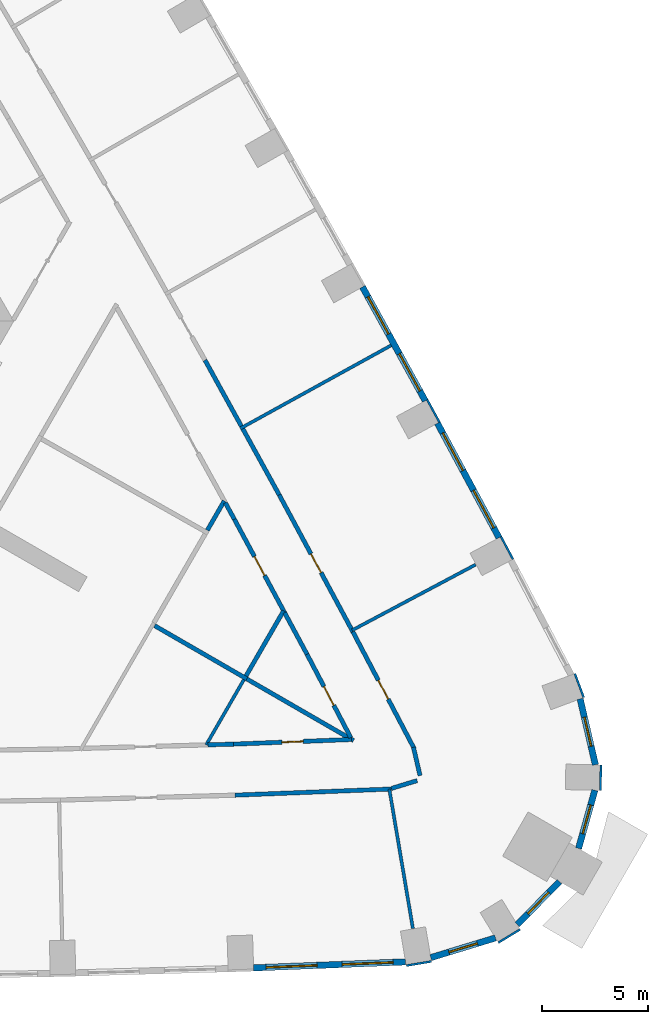
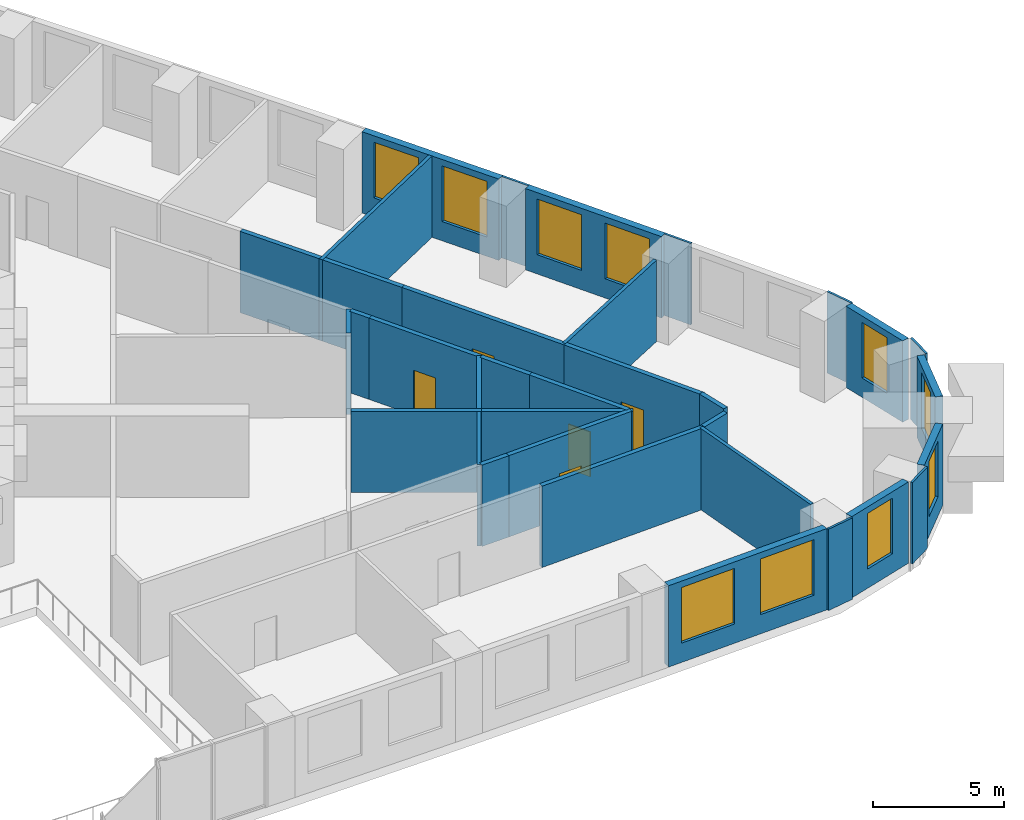
# One storey, part 11 of 16: 34 walls, 10 windows, 5 doors, 15 openings.
"""IFC4 building model written with IfcOpenShell, lengths in metres."""

from ifc_helpers import new_model, si_unit, direction, frame, frame_2d, origin, place, context, subcontext, project, spatial, rectangle, extrude, material, layer, layer_set, type_object, element, fill, save


model = new_model("IFC4")

# Units and contexts
model_context = context("Model", 3, precision=1e-05, world=origin(), true_north=direction((0.0, 1.0)))
body_context = subcontext(model_context, "Body", "Model", "MODEL_VIEW")
ifc_project = project(units=[si_unit("LENGTHUNIT", "METRE"), si_unit("AREAUNIT", "SQUARE_METRE"), si_unit("VOLUMEUNIT", "CUBIC_METRE"), si_unit("PLANEANGLEUNIT", "RADIAN"), si_unit("MASSUNIT", "GRAM", prefix="KILO")], contexts=[model_context])

# Site, building, storey
site_placement = place(None, origin())
site = spatial("IfcSite", under=ifc_project, at=site_placement, CompositionType="ELEMENT")
building_placement = place(site_placement, origin())
building = spatial("IfcBuilding", under=site, at=building_placement, Name="Entoto Arch Interchange Tower", CompositionType="ELEMENT")
storey_placement = place(building_placement, frame((0.0, 0.0, 43.39990234375)))
storey = spatial("IfcBuildingStorey", under=building, at=storey_placement, Name="L08", CompositionType="ELEMENT", Elevation=43.39990234375)

# Walls
ifc_material_1 = material(Name="Gypsum board partition on steel studs", Category="steel")
ifc_layer_1 = layer(ifc_material_1, 0.14990234375)
ifc_layer_set_1 = layer_set([ifc_layer_1], Name="Gypsum board partition on steel studs")
wall_type_1 = type_object("IfcWallType", Name="PARTITION 150", PredefinedType="PARTITIONING", material=ifc_layer_set_1)
wall_1_placement = place(storey_placement, frame((24.675048828125, -14.362060546875, 0.0), z_axis=(0.0, 0.0, 1.0), x_axis=(-0.500187988959, -0.865916841101, 0.0)))
element("IfcWall", 1, at=wall_1_placement, inside=storey, type_object=wall_type_1, Name="wall:L08:p118", PredefinedType="PARTITIONING", context=body_context, shape_type="SweptSolid", body=[
    extrude(rectangle(XDim=3.540771484375, YDim=0.14990234375, at=frame_2d((1.7705078125, 0.0))), origin(), (0.0, 0.0, 1.0), 3.800048828125),
])
wall_2_placement = place(storey_placement, frame((31.514892578125, -19.506103515625, 0.0), z_axis=(0.0, 0.0, 1.0), x_axis=(0.166785823947, -0.985993148521, 0.0)))
element("IfcWall", 2, at=wall_2_placement, inside=storey, type_object=wall_type_1, Name="wall:L08:p127", PredefinedType="PARTITIONING", context=body_context, shape_type="SweptSolid", body=[
    extrude(rectangle(XDim=6.650146484375, YDim=0.14990234375, at=frame_2d((3.3251953125, 0.0))), origin(), (0.0, 0.0, 1.0), 3.800048828125),
])
wall_3_placement = place(storey_placement, frame((29.763916015625, -12.0400390625, 0.0), z_axis=(0.0, 0.0, 1.0), x_axis=(0.883018657393, 0.469337885426, 0.0)))
element("IfcWall", 3, at=wall_3_placement, inside=storey, type_object=wall_type_1, Name="wall:L08:p128", PredefinedType="PARTITIONING", context=body_context, shape_type="SweptSolid", body=[
    extrude(rectangle(XDim=6.579833984375, YDim=0.14990234375, at=frame_2d((3.2900390625, 0.0))), origin(), (0.0, 0.0, 1.0), 3.800048828125),
])
wall_4_placement = place(storey_placement, frame((24.5048828125, -2.552001953125, 0.0), z_axis=(0.0, 0.0, 1.0), x_axis=(0.875845276652, 0.482592013369, 0.0)))
element("IfcWall", 4, at=wall_4_placement, inside=storey, type_object=wall_type_1, Name="wall:L08:p129", PredefinedType="PARTITIONING", context=body_context, shape_type="SweptSolid", body=[
    extrude(rectangle(XDim=8.099853515625, YDim=0.14990234375, at=frame_2d((4.0498046875, 0.0))), origin(), (0.0, 0.0, 1.0), 3.800048828125),
])

# Wall, opening, door
ifc_layer_2 = layer(ifc_material_1, 0.199951171875)
ifc_layer_set_2 = layer_set([ifc_layer_2], Name="Gypsum board partition on steel studs")
wall_type_2 = type_object("IfcWallType", Name="PARTITION 200", PredefinedType="PARTITIONING", material=ifc_layer_set_2)
wall_5_placement = place(storey_placement, frame((26.592041015625, -11.2109375, 0.0), z_axis=(0.0, 0.0, 1.0), x_axis=(-0.473737860011, 0.880665907136, 0.0)))
wall_5 = element("IfcWall", 5, at=wall_5_placement, inside=storey, type_object=wall_type_2, Name="wall:L08:p019", PredefinedType="PARTITIONING", context=body_context, shape_type="SweptSolid", body=[
    extrude(rectangle(XDim=4.988037109375, YDim=0.199951171875, at=frame_2d((2.494140625, 0.0))), origin(), (0.0, 0.0, 1.0), 3.800048828125),
])
opening_1_placement = place(wall_5_placement, frame((1.993896484375, 0.0, 0.0)))
opening_1 = element("IfcOpeningElement", 6, at=opening_1_placement, cuts=wall_5, Name="Opening L08-D26", PredefinedType="OPENING", context=body_context, shape_type="SweptSolid", body=[
    extrude(rectangle(XDim=1.0, YDim=2.10009765625, at=frame_2d((0.5, 1.050048828125))), frame((0.0, 0.10986328125, 0.0), z_axis=(0.0, -1.0, 0.0), x_axis=(1.0, 0.0, 0.0)), (0.0, 0.0, 1.0), 0.219970703125),
])
ifc_material_2 = material(Name="Timber door leaf in Steel S235 frame", Category="steel")
door_type = type_object("IfcDoorType", Name="DOOR DS-10 1000x2100", OperationType="SINGLE_SWING_LEFT", PredefinedType="DOOR", material=ifc_material_2)
door_1_placement = place(opening_1_placement, origin())
door_1 = element("IfcDoor", 7, at=door_1_placement, inside=storey, type_object=door_type, Name="door:L08:26", OperationType="SINGLE_SWING_LEFT", OverallHeight=2.10009765625, OverallWidth=1.0, PredefinedType="DOOR", context=body_context, shape_type="SweptSolid", body=[
    extrude(rectangle(XDim=1.0, YDim=2.10009765625, at=frame_2d((0.5, 1.050048828125))), frame((0.0, 0.02490234375, 0.0), z_axis=(0.0, -1.0, 0.0), x_axis=(1.0, 0.0, 0.0)), (0.0, 0.0, 1.0), 0.050048828125),
])
fill(opening_1, door_1)

# Walls
wall_6_placement = place(storey_placement, frame((24.22900390625, -6.818115234375, 0.0), z_axis=(0.0, 0.0, 1.0), x_axis=(-0.482120251302, 0.876105052653, 0.0)))
element("IfcWall", 8, at=wall_6_placement, inside=storey, type_object=wall_type_2, Name="wall:L08:p020", PredefinedType="PARTITIONING", context=body_context, shape_type="SweptSolid", body=[
    extrude(rectangle(XDim=0.883544921875, YDim=0.199951171875, at=frame_2d((0.44189453125, 0.0))), origin(), (0.0, 0.0, 1.0), 3.800048828125),
])
wall_7_placement = place(storey_placement, frame((22.97900390625, -17.426025390625, 0.0), z_axis=(0.0, 0.0, 1.0), x_axis=(0.999623609507, 0.027434272674, 0.0)))
element("IfcWall", 9, at=wall_7_placement, inside=storey, type_object=wall_type_2, Name="wall:L08:p021", PredefinedType="PARTITIONING", context=body_context, shape_type="SweptSolid", body=[
    extrude(rectangle(XDim=1.201416015625, YDim=0.199951171875, at=frame_2d((0.6005859375, 0.0))), origin(), (0.0, 0.0, 1.0), 3.800048828125),
])

# Wall, opening, door
wall_8_placement = place(storey_placement, frame((24.179931640625, -17.39306640625, 0.0), z_axis=(0.0, 0.0, 1.0), x_axis=(0.999226657848, 0.039320303228, 0.0)))
wall_8 = element("IfcWall", 10, at=wall_8_placement, inside=storey, type_object=wall_type_2, Name="wall:L08:p022", PredefinedType="PARTITIONING", context=body_context, shape_type="SweptSolid", body=[
    extrude(rectangle(XDim=5.569580078125, YDim=0.199951171875, at=frame_2d((2.78466796875, 0.0))), origin(), (0.0, 0.0, 1.0), 3.800048828125),
])
opening_2_placement = place(wall_8_placement, frame((2.283935546875, 0.0, 0.0)))
opening_2 = element("IfcOpeningElement", 11, at=opening_2_placement, cuts=wall_8, Name="Opening L08-D27", PredefinedType="OPENING", context=body_context, shape_type="SweptSolid", body=[
    extrude(rectangle(XDim=1.0, YDim=2.10009765625, at=frame_2d((0.5, 1.050048828125))), frame((0.0, 0.10986328125, 0.0), z_axis=(0.0, -1.0, 0.0), x_axis=(1.0, 0.0, 0.0)), (0.0, 0.0, 1.0), 0.219970703125),
])
door_2_placement = place(opening_2_placement, origin())
door_2 = element("IfcDoor", 12, at=door_2_placement, inside=storey, type_object=door_type, Name="door:L08:27", OperationType="SINGLE_SWING_LEFT", OverallHeight=2.10009765625, OverallWidth=1.0, PredefinedType="DOOR", context=body_context, shape_type="SweptSolid", body=[
    extrude(rectangle(XDim=1.0, YDim=2.10009765625, at=frame_2d((0.5, 1.050048828125))), frame((0.0, 0.02490234375, 0.0), z_axis=(0.0, -1.0, 0.0), x_axis=(1.0, 0.0, 0.0)), (0.0, 0.0, 1.0), 0.050048828125),
])
fill(opening_2, door_2)

wall_9_placement = place(storey_placement, frame((29.701904296875, -17.0849609375, 0.0), z_axis=(0.0, 0.0, 1.0), x_axis=(-0.464998228159, 0.88531161057, 0.0)))
wall_9 = element("IfcWall", 13, at=wall_9_placement, inside=storey, type_object=wall_type_2, Name="wall:L08:p023", PredefinedType="PARTITIONING", context=body_context, shape_type="SweptSolid", body=[
    extrude(rectangle(XDim=4.425537109375, YDim=0.199951171875, at=frame_2d((2.212890625, 0.0))), origin(), (0.0, 0.0, 1.0), 3.800048828125),
])
opening_3_placement = place(wall_9_placement, frame((1.712890625, 0.0, 0.0)))
opening_3 = element("IfcOpeningElement", 14, at=opening_3_placement, cuts=wall_9, Name="Opening L08-D28", PredefinedType="OPENING", context=body_context, shape_type="SweptSolid", body=[
    extrude(rectangle(XDim=1.0, YDim=2.10009765625, at=frame_2d((0.5, 1.050048828125))), frame((0.0, 0.10986328125, 0.0), z_axis=(0.0, -1.0, 0.0), x_axis=(1.0, 0.0, 0.0)), (0.0, 0.0, 1.0), 0.219970703125),
])
door_3_placement = place(opening_3_placement, origin())
door_3 = element("IfcDoor", 15, at=door_3_placement, inside=storey, type_object=door_type, Name="door:L08:28", OperationType="SINGLE_SWING_LEFT", OverallHeight=2.10009765625, OverallWidth=1.0, PredefinedType="DOOR", context=body_context, shape_type="SweptSolid", body=[
    extrude(rectangle(XDim=1.0, YDim=2.10009765625, at=frame_2d((0.5, 1.050048828125))), frame((0.0, 0.02490234375, 0.0), z_axis=(0.0, -1.0, 0.0), x_axis=(1.0, 0.0, 0.0)), (0.0, 0.0, 1.0), 0.050048828125),
])
fill(opening_3, door_3)

# Walls
wall_10_placement = place(storey_placement, frame((27.64404296875, -13.1669921875, 0.0), z_axis=(0.0, 0.0, 1.0), x_axis=(-0.473660574093, 0.880707477287, 0.0)))
element("IfcWall", 16, at=wall_10_placement, inside=storey, type_object=wall_type_2, Name="wall:L08:p024", PredefinedType="PARTITIONING", context=body_context, shape_type="SweptSolid", body=[
    extrude(rectangle(XDim=2.220947265625, YDim=0.199951171875, at=frame_2d((1.1103515625, 0.0))), origin(), (0.0, 0.0, 1.0), 3.800048828125),
])
wall_11_placement = place(storey_placement, frame((31.614990234375, -19.5029296875, 0.0), z_axis=(0.0, 0.0, 1.0), x_axis=(-0.999228381006, -0.039276489048, 0.0)))
element("IfcWall", 17, at=wall_11_placement, inside=storey, type_object=wall_type_2, Name="wall:L08:p036", PredefinedType="PARTITIONING", context=body_context, shape_type="SweptSolid", body=[
    extrude(rectangle(XDim=7.359619140625, YDim=0.199951171875, at=frame_2d((3.6796875, 0.0))), origin(), (0.0, 0.0, 1.0), 3.800048828125),
])

# Wall, opening, door
wall_12_placement = place(storey_placement, frame((29.799072265625, -12.10693359375, 0.0), z_axis=(0.0, 0.0, 1.0), x_axis=(0.464767882002, -0.885432558617, 0.0)))
wall_12 = element("IfcWall", 18, at=wall_12_placement, inside=storey, type_object=wall_type_2, Name="wall:L08:p038", PredefinedType="PARTITIONING", context=body_context, shape_type="SweptSolid", body=[
    extrude(rectangle(XDim=6.233154296875, YDim=0.199951171875, at=frame_2d((3.11669921875, 0.0))), origin(), (0.0, 0.0, 1.0), 3.800048828125),
])
opening_4_placement = place(wall_12_placement, frame((2.580078125, 0.0, 0.0)))
opening_4 = element("IfcOpeningElement", 19, at=opening_4_placement, cuts=wall_12, Name="Opening L08-D03", PredefinedType="OPENING", context=body_context, shape_type="SweptSolid", body=[
    extrude(rectangle(XDim=1.0, YDim=2.10009765625, at=frame_2d((0.5, 1.050048828125))), frame((0.0, 0.10986328125, 0.0), z_axis=(0.0, -1.0, 0.0), x_axis=(1.0, 0.0, 0.0)), (0.0, 0.0, 1.0), 0.219970703125),
])
door_4_placement = place(opening_4_placement, origin())
door_4 = element("IfcDoor", 20, at=door_4_placement, inside=storey, type_object=door_type, Name="door:L08:03", OperationType="SINGLE_SWING_LEFT", OverallHeight=2.10009765625, OverallWidth=1.0, PredefinedType="DOOR", context=body_context, shape_type="SweptSolid", body=[
    extrude(rectangle(XDim=1.0, YDim=2.10009765625, at=frame_2d((0.5, 1.050048828125))), frame((0.0, 0.02490234375, 0.0), z_axis=(0.0, -1.0, 0.0), x_axis=(1.0, 0.0, 0.0)), (0.0, 0.0, 1.0), 0.050048828125),
])
fill(opening_4, door_4)

# Walls
wall_13_placement = place(storey_placement, frame((32.64990234375, -17.5380859375, 0.0), z_axis=(0.0, 0.0, 1.0), x_axis=(0.226081445763, -0.974108402531, 0.0)))
element("IfcWall", 21, at=wall_13_placement, inside=storey, type_object=wall_type_2, Name="wall:L08:p039", PredefinedType="PARTITIONING", context=body_context, shape_type="SweptSolid", body=[
    extrude(rectangle(XDim=1.371337890625, YDim=0.199951171875, at=frame_2d((0.685546875, 0.0))), origin(), (0.0, 0.0, 1.0), 3.800048828125),
])
wall_14_placement = place(storey_placement, frame((32.823974609375, -19.10693359375, 0.0), z_axis=(0.0, 0.0, 1.0), x_axis=(-0.956459113118, -0.291866347723, 0.0)))
element("IfcWall", 22, at=wall_14_placement, inside=storey, type_object=wall_type_2, Name="wall:L08:p040", PredefinedType="PARTITIONING", context=body_context, shape_type="SweptSolid", body=[
    extrude(rectangle(XDim=1.26806640625, YDim=0.199951171875, at=frame_2d((0.634033203125, 0.0))), origin(), (0.0, 0.0, 1.0), 3.800048828125),
])
wall_15_placement = place(storey_placement, frame((24.6279296875, -2.569091796875, 0.0), z_axis=(0.0, 0.0, 1.0), x_axis=(0.482566980384, -0.875859069396, 0.0)))
element("IfcWall", 23, at=wall_15_placement, inside=storey, type_object=wall_type_2, Name="wall:L08:p041", PredefinedType="PARTITIONING", context=body_context, shape_type="SweptSolid", body=[
    extrude(rectangle(XDim=3.54150390625, YDim=0.199951171875, at=frame_2d((1.770751953125, 0.0))), origin(), (0.0, 0.0, 1.0), 3.800048828125),
])

# Wall, opening, door
wall_16_placement = place(storey_placement, frame((26.3369140625, -5.6708984375, 0.0), z_axis=(0.0, 0.0, 1.0), x_axis=(0.473794961698, -0.880635187958, 0.0)))
wall_16 = element("IfcWall", 24, at=wall_16_placement, inside=storey, type_object=wall_type_2, Name="wall:L08:p042", PredefinedType="PARTITIONING", context=body_context, shape_type="SweptSolid", body=[
    extrude(rectangle(XDim=7.307373046875, YDim=0.199951171875, at=frame_2d((3.65380859375, 0.0))), origin(), (0.0, 0.0, 1.0), 3.800048828125),
])
opening_5_placement = place(wall_16_placement, frame((3.154052734375, 0.0, 0.0)))
opening_5 = element("IfcOpeningElement", 25, at=opening_5_placement, cuts=wall_16, Name="Opening L08-D04", PredefinedType="OPENING", context=body_context, shape_type="SweptSolid", body=[
    extrude(rectangle(XDim=1.0, YDim=2.10009765625, at=frame_2d((0.5, 1.050048828125))), frame((0.0, 0.10986328125, 0.0), z_axis=(0.0, -1.0, 0.0), x_axis=(1.0, 0.0, 0.0)), (0.0, 0.0, 1.0), 0.219970703125),
])
door_5_placement = place(opening_5_placement, origin())
door_5 = element("IfcDoor", 26, at=door_5_placement, inside=storey, type_object=door_type, Name="door:L08:04", OperationType="SINGLE_SWING_LEFT", OverallHeight=2.10009765625, OverallWidth=1.0, PredefinedType="DOOR", context=body_context, shape_type="SweptSolid", body=[
    extrude(rectangle(XDim=1.0, YDim=2.10009765625, at=frame_2d((0.5, 1.050048828125))), frame((0.0, 0.02490234375, 0.0), z_axis=(0.0, -1.0, 0.0), x_axis=(1.0, 0.0, 0.0)), (0.0, 0.0, 1.0), 0.050048828125),
])
fill(opening_5, door_5)

# Walls
wall_17_placement = place(storey_placement, frame((22.846923828125, 0.6640625, 0.0), z_axis=(0.0, 0.0, 1.0), x_axis=(0.482537844436, -0.875875121628, 0.0)))
element("IfcWall", 27, at=wall_17_placement, inside=storey, type_object=wall_type_2, Name="wall:L08:p044", PredefinedType="PARTITIONING", context=body_context, shape_type="SweptSolid", body=[
    extrude(rectangle(XDim=3.541748046875, YDim=0.199951171875, at=frame_2d((1.77099609375, 0.0))), origin(), (0.0, 0.0, 1.0), 3.800048828125),
])
wall_18_placement = place(storey_placement, frame((23.75390625, -5.9560546875, 0.0), z_axis=(0.0, 0.0, 1.0), x_axis=(-0.500093796661, -0.865971243484, 0.0)))
element("IfcWall", 28, at=wall_18_placement, inside=storey, type_object=wall_type_2, Name="wall:L08:p116", PredefinedType="PARTITIONING", context=body_context, shape_type="SweptSolid", body=[
    extrude(rectangle(XDim=1.593505859375, YDim=0.199951171875, at=frame_2d((0.796875, 0.0))), origin(), (0.0, 0.0, 1.0), 3.800048828125),
])
wall_19_placement = place(storey_placement, frame((20.48193359375, -11.823974609375, 0.0), z_axis=(0.0, 0.0, 1.0), x_axis=(0.866022959057, -0.500004234368, 0.0)))
element("IfcWall", 29, at=wall_19_placement, inside=storey, type_object=wall_type_2, Name="wall:L08:p117", PredefinedType="PARTITIONING", context=body_context, shape_type="SweptSolid", body=[
    extrude(rectangle(XDim=5.0, YDim=0.199951171875, at=frame_2d((2.5, 0.0))), origin(), (0.0, 0.0, 1.0), 3.800048828125),
])
wall_20_placement = place(storey_placement, frame((26.544921875, -11.123046875, 0.0), z_axis=(0.0, 0.0, 1.0), x_axis=(-0.500100605862, -0.865967311171, 0.0)))
element("IfcWall", 30, at=wall_20_placement, inside=storey, type_object=wall_type_2, Name="wall:L08:p119", PredefinedType="PARTITIONING", context=body_context, shape_type="SweptSolid", body=[
    extrude(rectangle(XDim=3.539306640625, YDim=0.199951171875, at=frame_2d((1.76953125, 0.0))), origin(), (0.0, 0.0, 1.0), 3.800048828125),
])
wall_21_placement = place(storey_placement, frame((24.81103515625, -14.325927734375, 0.0), z_axis=(0.0, 0.0, 1.0), x_axis=(0.866076195524, -0.499912015806, 0.0)))
element("IfcWall", 31, at=wall_21_placement, inside=storey, type_object=wall_type_2, Name="wall:L08:p120", PredefinedType="PARTITIONING", context=body_context, shape_type="SweptSolid", body=[
    extrude(rectangle(XDim=5.79736328125, YDim=0.199951171875, at=frame_2d((2.898681640625, 0.0))), origin(), (0.0, 0.0, 1.0), 3.800048828125),
])

# Wall, openings, windows
ifc_material_3 = material(Name="Welded tuff (ignimbrite) cladding, warm buff", Category="masonry")
ifc_layer_3 = layer(ifc_material_3, 0.300048828125)
ifc_layer_set_3 = layer_set([ifc_layer_3], Name="Welded tuff (ignimbrite) cladding, warm buff")
wall_type_3 = type_object("IfcWallType", Name="STONE INFILL WALL 300", PredefinedType="STANDARD", material=ifc_layer_set_3)
wall_22_placement = place(storey_placement, frame((25.134033203125, -27.9140625, 0.0), z_axis=(0.0, 0.0, 1.0), x_axis=(0.999228146648, 0.039282450878, 0.0)))
wall_22 = element("IfcWall", 32, at=wall_22_placement, inside=storey, type_object=wall_type_3, Name="Facade wall S-07 L08", PredefinedType="STANDARD", context=body_context, shape_type="SweptSolid", body=[
    extrude(rectangle(XDim=7.153564453125, YDim=0.300048828125, at=frame_2d((3.57666015625, 0.0))), origin(), (0.0, 0.0, 1.0), 3.800048828125),
])
opening_6_placement = place(wall_22_placement, frame((0.587890625, 0.0, 0.89990234375)))
opening_6 = element("IfcOpeningElement", 33, at=opening_6_placement, cuts=wall_22, Name="Opening WO-A", PredefinedType="OPENING", context=body_context, shape_type="SweptSolid", body=[
    extrude(rectangle(XDim=2.39990234375, YDim=2.60009765625, at=frame_2d((1.199951171875, 1.300048828125))), frame((0.0, 0.16015625, 0.0), z_axis=(0.0, -1.0, 0.0), x_axis=(1.0, 0.0, 0.0)), (0.0, 0.0, 1.0), 0.320068359375),
])
opening_7_placement = place(wall_22_placement, frame((4.1650390625, 0.0, 0.89990234375)))
opening_7 = element("IfcOpeningElement", 34, at=opening_7_placement, cuts=wall_22, Name="Opening WO-A", PredefinedType="OPENING", context=body_context, shape_type="SweptSolid", body=[
    extrude(rectangle(XDim=2.39990234375, YDim=2.60009765625, at=frame_2d((1.199951171875, 1.300048828125))), frame((0.0, 0.16015625, 0.0), z_axis=(0.0, -1.0, 0.0), x_axis=(1.0, 0.0, 0.0)), (0.0, 0.0, 1.0), 0.320068359375),
])
ifc_material_4 = material(Name="Clear glass, low-e double glazed", Category="glass")
window_type_1 = type_object("IfcWindowType", Name="WINDOW WO-A 2400x2600", PartitioningType="DOUBLE_PANEL_VERTICAL", PredefinedType="WINDOW", material=ifc_material_4)
window_1_placement = place(opening_6_placement, origin())
window_1 = element("IfcWindow", 35, at=window_1_placement, inside=storey, type_object=window_type_1, Name="Window WO-A S-07 L08", OverallHeight=2.60009765625, OverallWidth=2.39990234375, PartitioningType="SINGLE_PANEL", PredefinedType="WINDOW", context=body_context, shape_type="SweptSolid", body=[
    extrude(rectangle(XDim=2.39990234375, YDim=2.60009765625, at=frame_2d((1.199951171875, 1.300048828125))), frame((0.0, 0.030029296875, 0.0), z_axis=(0.0, -1.0, 0.0), x_axis=(1.0, 0.0, 0.0)), (0.0, 0.0, 1.0), 0.06005859375),
])
fill(opening_6, window_1)
window_2_placement = place(opening_7_placement, origin())
window_2 = element("IfcWindow", 36, at=window_2_placement, inside=storey, type_object=window_type_1, Name="Window WO-A S-07 L08", OverallHeight=2.60009765625, OverallWidth=2.39990234375, PartitioningType="SINGLE_PANEL", PredefinedType="WINDOW", context=body_context, shape_type="SweptSolid", body=[
    extrude(rectangle(XDim=2.39990234375, YDim=2.60009765625, at=frame_2d((1.199951171875, 1.300048828125))), frame((0.0, 0.030029296875, 0.0), z_axis=(0.0, -1.0, 0.0), x_axis=(1.0, 0.0, 0.0)), (0.0, 0.0, 1.0), 0.06005859375),
])
fill(opening_7, window_2)

# Wall, opening, window
wall_23_placement = place(storey_placement, frame((33.464111328125, -27.43310546875, 0.0), z_axis=(0.0, 0.0, 1.0), x_axis=(0.95648967224, 0.291766185322, 0.0)))
wall_23 = element("IfcWall", 37, at=wall_23_placement, inside=storey, type_object=wall_type_3, Name="Facade wall SE-01 L08", PredefinedType="STANDARD", context=body_context, shape_type="SweptSolid", body=[
    extrude(rectangle(XDim=3.181396484375, YDim=0.300048828125, at=frame_2d((1.5908203125, 0.0))), origin(), (0.0, 0.0, 1.0), 3.800048828125),
])
opening_8_placement = place(wall_23_placement, frame((0.89111328125, 0.0, 0.89990234375)))
opening_8 = element("IfcOpeningElement", 38, at=opening_8_placement, cuts=wall_23, Name="Opening WO-B", PredefinedType="OPENING", context=body_context, shape_type="SweptSolid", body=[
    extrude(rectangle(XDim=1.39990234375, YDim=2.60009765625, at=frame_2d((0.699951171875, 1.300048828125))), frame((0.0, 0.16015625, 0.0), z_axis=(0.0, -1.0, 0.0), x_axis=(1.0, 0.0, 0.0)), (0.0, 0.0, 1.0), 0.320068359375),
])
window_type_2 = type_object("IfcWindowType", Name="WINDOW WO-B 1400x2600", PartitioningType="DOUBLE_PANEL_VERTICAL", PredefinedType="WINDOW", material=ifc_material_4)
window_3_placement = place(opening_8_placement, origin())
window_3 = element("IfcWindow", 39, at=window_3_placement, inside=storey, type_object=window_type_2, Name="Window WO-B SE-01 L08", OverallHeight=2.60009765625, OverallWidth=1.39990234375, PartitioningType="SINGLE_PANEL", PredefinedType="WINDOW", context=body_context, shape_type="SweptSolid", body=[
    extrude(rectangle(XDim=1.39990234375, YDim=2.60009765625, at=frame_2d((0.699951171875, 1.300048828125))), frame((0.0, 0.030029296875, 0.0), z_axis=(0.0, -1.0, 0.0), x_axis=(1.0, 0.0, 0.0)), (0.0, 0.0, 1.0), 0.06005859375),
])
fill(opening_8, window_3)

wall_24_placement = place(storey_placement, frame((37.531005859375, -25.883056640625, 0.0), z_axis=(0.0, 0.0, 1.0), x_axis=(0.699151821451, 0.714973237654, 0.0)))
wall_24 = element("IfcWall", 40, at=wall_24_placement, inside=storey, type_object=wall_type_3, Name="Facade wall SE-02 L08", PredefinedType="STANDARD", context=body_context, shape_type="SweptSolid", body=[
    extrude(rectangle(XDim=2.83935546875, YDim=0.300048828125, at=frame_2d((1.419677734375, 0.0))), origin(), (0.0, 0.0, 1.0), 3.800048828125),
])
opening_9_placement = place(wall_24_placement, frame((0.719970703125, 0.0, 0.89990234375)))
opening_9 = element("IfcOpeningElement", 41, at=opening_9_placement, cuts=wall_24, Name="Opening WO-B", PredefinedType="OPENING", context=body_context, shape_type="SweptSolid", body=[
    extrude(rectangle(XDim=1.39990234375, YDim=2.60009765625, at=frame_2d((0.699951171875, 1.300048828125))), frame((0.0, 0.16015625, 0.0), z_axis=(0.0, -1.0, 0.0), x_axis=(1.0, 0.0, 0.0)), (0.0, 0.0, 1.0), 0.320068359375),
])
window_4_placement = place(opening_9_placement, origin())
window_4 = element("IfcWindow", 42, at=window_4_placement, inside=storey, type_object=window_type_2, Name="Window WO-B SE-02 L08", OverallHeight=2.60009765625, OverallWidth=1.39990234375, PartitioningType="SINGLE_PANEL", PredefinedType="WINDOW", context=body_context, shape_type="SweptSolid", body=[
    extrude(rectangle(XDim=1.39990234375, YDim=2.60009765625, at=frame_2d((0.699951171875, 1.300048828125))), frame((0.0, 0.030029296875, 0.0), z_axis=(0.0, -1.0, 0.0), x_axis=(1.0, 0.0, 0.0)), (0.0, 0.0, 1.0), 0.06005859375),
])
fill(opening_9, window_4)

wall_25_placement = place(storey_placement, frame((40.4150390625, -22.2958984375, 0.0), z_axis=(0.0, 0.0, 1.0), x_axis=(0.269754317033, 0.962929181426, 0.0)))
wall_25 = element("IfcWall", 43, at=wall_25_placement, inside=storey, type_object=wall_type_3, Name="Facade wall SE-03 L08", PredefinedType="STANDARD", context=body_context, shape_type="SweptSolid", body=[
    extrude(rectangle(XDim=2.839111328125, YDim=0.300048828125, at=frame_2d((1.41943359375, 0.0))), origin(), (0.0, 0.0, 1.0), 3.800048828125),
])
opening_10_placement = place(wall_25_placement, frame((0.719970703125, 0.0, 0.89990234375)))
opening_10 = element("IfcOpeningElement", 44, at=opening_10_placement, cuts=wall_25, Name="Opening WO-B", PredefinedType="OPENING", context=body_context, shape_type="SweptSolid", body=[
    extrude(rectangle(XDim=1.39990234375, YDim=2.60009765625, at=frame_2d((0.699951171875, 1.300048828125))), frame((0.0, 0.16015625, 0.0), z_axis=(0.0, -1.0, 0.0), x_axis=(1.0, 0.0, 0.0)), (0.0, 0.0, 1.0), 0.320068359375),
])
window_5_placement = place(opening_10_placement, origin())
window_5 = element("IfcWindow", 45, at=window_5_placement, inside=storey, type_object=window_type_2, Name="Window WO-B SE-03 L08", OverallHeight=2.60009765625, OverallWidth=1.39990234375, PartitioningType="SINGLE_PANEL", PredefinedType="WINDOW", context=body_context, shape_type="SweptSolid", body=[
    extrude(rectangle(XDim=1.39990234375, YDim=2.60009765625, at=frame_2d((0.699951171875, 1.300048828125))), frame((0.0, 0.030029296875, 0.0), z_axis=(0.0, -1.0, 0.0), x_axis=(1.0, 0.0, 0.0)), (0.0, 0.0, 1.0), 0.06005859375),
])
fill(opening_10, window_5)

wall_26_placement = place(storey_placement, frame((41.2080078125, -18.364013671875, 0.0), z_axis=(0.0, 0.0, 1.0), x_axis=(-0.225929520451, 0.974143650489, 0.0)))
wall_26 = element("IfcWall", 46, at=wall_26_placement, inside=storey, type_object=wall_type_3, Name="Facade wall SE-04 L08", PredefinedType="STANDARD", context=body_context, shape_type="SweptSolid", body=[
    extrude(rectangle(XDim=3.182373046875, YDim=0.300048828125, at=frame_2d((1.59130859375, 0.0))), origin(), (0.0, 0.0, 1.0), 3.800048828125),
])
opening_11_placement = place(wall_26_placement, frame((0.89111328125, 0.0, 0.89990234375)))
opening_11 = element("IfcOpeningElement", 47, at=opening_11_placement, cuts=wall_26, Name="Opening WO-B", PredefinedType="OPENING", context=body_context, shape_type="SweptSolid", body=[
    extrude(rectangle(XDim=1.39990234375, YDim=2.60009765625, at=frame_2d((0.699951171875, 1.300048828125))), frame((0.0, 0.16015625, 0.0), z_axis=(0.0, -1.0, 0.0), x_axis=(1.0, 0.0, 0.0)), (0.0, 0.0, 1.0), 0.320068359375),
])
window_6_placement = place(opening_11_placement, origin())
window_6 = element("IfcWindow", 48, at=window_6_placement, inside=storey, type_object=window_type_2, Name="Window WO-B SE-04 L08", OverallHeight=2.60009765625, OverallWidth=1.39990234375, PartitioningType="SINGLE_PANEL", PredefinedType="WINDOW", context=body_context, shape_type="SweptSolid", body=[
    extrude(rectangle(XDim=1.39990234375, YDim=2.60009765625, at=frame_2d((0.699951171875, 1.300048828125))), frame((0.0, 0.030029296875, 0.0), z_axis=(0.0, -1.0, 0.0), x_axis=(1.0, 0.0, 0.0)), (0.0, 0.0, 1.0), 0.06005859375),
])
fill(opening_11, window_6)

# Wall, openings, windows
wall_27_placement = place(storey_placement, frame((36.677001953125, -7.68798828125, 0.0), z_axis=(0.0, 0.0, 1.0), x_axis=(-0.47375467653, 0.880656860795, 0.0)))
wall_27 = element("IfcWall", 49, at=wall_27_placement, inside=storey, type_object=wall_type_3, Name="Facade wall NE-02 L08", PredefinedType="STANDARD", context=body_context, shape_type="SweptSolid", body=[
    extrude(rectangle(XDim=6.116943359375, YDim=0.300048828125, at=frame_2d((3.05859375, 0.0))), origin(), (0.0, 0.0, 1.0), 3.800048828125),
])
opening_12_placement = place(wall_27_placement, frame((0.529052734375, 0.0, 0.89990234375)))
opening_12 = element("IfcOpeningElement", 50, at=opening_12_placement, cuts=wall_27, Name="Opening WO-C", PredefinedType="OPENING", context=body_context, shape_type="SweptSolid", body=[
    extrude(rectangle(XDim=2.0, YDim=2.60009765625, at=frame_2d((1.0, 1.300048828125))), frame((0.0, 0.16015625, 0.0), z_axis=(0.0, -1.0, 0.0), x_axis=(1.0, 0.0, 0.0)), (0.0, 0.0, 1.0), 0.320068359375),
])
opening_13_placement = place(wall_27_placement, frame((3.587890625, 0.0, 0.89990234375)))
opening_13 = element("IfcOpeningElement", 51, at=opening_13_placement, cuts=wall_27, Name="Opening WO-C", PredefinedType="OPENING", context=body_context, shape_type="SweptSolid", body=[
    extrude(rectangle(XDim=2.0, YDim=2.60009765625, at=frame_2d((1.0, 1.300048828125))), frame((0.0, 0.16015625, 0.0), z_axis=(0.0, -1.0, 0.0), x_axis=(1.0, 0.0, 0.0)), (0.0, 0.0, 1.0), 0.320068359375),
])
window_type_3 = type_object("IfcWindowType", Name="WINDOW WO-C 2000x2600", PartitioningType="DOUBLE_PANEL_VERTICAL", PredefinedType="WINDOW", material=ifc_material_4)
window_7_placement = place(opening_12_placement, origin())
window_7 = element("IfcWindow", 52, at=window_7_placement, inside=storey, type_object=window_type_3, Name="Window WO-C NE-02 L08", OverallHeight=2.60009765625, OverallWidth=2.0, PartitioningType="SINGLE_PANEL", PredefinedType="WINDOW", context=body_context, shape_type="SweptSolid", body=[
    extrude(rectangle(XDim=2.0, YDim=2.60009765625, at=frame_2d((1.0, 1.300048828125))), frame((0.0, 0.030029296875, 0.0), z_axis=(0.0, -1.0, 0.0), x_axis=(1.0, 0.0, 0.0)), (0.0, 0.0, 1.0), 0.06005859375),
])
fill(opening_12, window_7)
window_8_placement = place(opening_13_placement, origin())
window_8 = element("IfcWindow", 53, at=window_8_placement, inside=storey, type_object=window_type_3, Name="Window WO-C NE-02 L08", OverallHeight=2.60009765625, OverallWidth=2.0, PartitioningType="SINGLE_PANEL", PredefinedType="WINDOW", context=body_context, shape_type="SweptSolid", body=[
    extrude(rectangle(XDim=2.0, YDim=2.60009765625, at=frame_2d((1.0, 1.300048828125))), frame((0.0, 0.030029296875, 0.0), z_axis=(0.0, -1.0, 0.0), x_axis=(1.0, 0.0, 0.0)), (0.0, 0.0, 1.0), 0.06005859375),
])
fill(opening_13, window_8)

wall_28_placement = place(storey_placement, frame((33.2060546875, -1.2490234375, 0.0), z_axis=(0.0, 0.0, 1.0), x_axis=(-0.482596003603, 0.875843078015, 0.0)))
wall_28 = element("IfcWall", 54, at=wall_28_placement, inside=storey, type_object=wall_type_3, Name="Facade wall NE-03 L08", PredefinedType="STANDARD", context=body_context, shape_type="SweptSolid", body=[
    extrude(rectangle(XDim=6.115234375, YDim=0.300048828125, at=frame_2d((3.0576171875, 0.0))), origin(), (0.0, 0.0, 1.0), 3.800048828125),
])
opening_14_placement = place(wall_28_placement, frame((0.529052734375, 0.0, 0.89990234375)))
opening_14 = element("IfcOpeningElement", 55, at=opening_14_placement, cuts=wall_28, Name="Opening WO-C", PredefinedType="OPENING", context=body_context, shape_type="SweptSolid", body=[
    extrude(rectangle(XDim=2.0, YDim=2.60009765625, at=frame_2d((1.0, 1.300048828125))), frame((0.0, 0.16015625, 0.0), z_axis=(0.0, -1.0, 0.0), x_axis=(1.0, 0.0, 0.0)), (0.0, 0.0, 1.0), 0.320068359375),
])
opening_15_placement = place(wall_28_placement, frame((3.5859375, 0.0, 0.89990234375)))
opening_15 = element("IfcOpeningElement", 56, at=opening_15_placement, cuts=wall_28, Name="Opening WO-C", PredefinedType="OPENING", context=body_context, shape_type="SweptSolid", body=[
    extrude(rectangle(XDim=2.0, YDim=2.60009765625, at=frame_2d((1.0, 1.300048828125))), frame((0.0, 0.16015625, 0.0), z_axis=(0.0, -1.0, 0.0), x_axis=(1.0, 0.0, 0.0)), (0.0, 0.0, 1.0), 0.320068359375),
])
window_9_placement = place(opening_14_placement, origin())
window_9 = element("IfcWindow", 57, at=window_9_placement, inside=storey, type_object=window_type_3, Name="Window WO-C NE-03 L08", OverallHeight=2.60009765625, OverallWidth=2.0, PartitioningType="SINGLE_PANEL", PredefinedType="WINDOW", context=body_context, shape_type="SweptSolid", body=[
    extrude(rectangle(XDim=2.0, YDim=2.60009765625, at=frame_2d((1.0, 1.300048828125))), frame((0.0, 0.030029296875, 0.0), z_axis=(0.0, -1.0, 0.0), x_axis=(1.0, 0.0, 0.0)), (0.0, 0.0, 1.0), 0.06005859375),
])
fill(opening_14, window_9)
window_10_placement = place(opening_15_placement, origin())
window_10 = element("IfcWindow", 58, at=window_10_placement, inside=storey, type_object=window_type_3, Name="Window WO-C NE-03 L08", OverallHeight=2.60009765625, OverallWidth=2.0, PartitioningType="SINGLE_PANEL", PredefinedType="WINDOW", context=body_context, shape_type="SweptSolid", body=[
    extrude(rectangle(XDim=2.0, YDim=2.60009765625, at=frame_2d((1.0, 1.300048828125))), frame((0.0, 0.030029296875, 0.0), z_axis=(0.0, -1.0, 0.0), x_axis=(1.0, 0.0, 0.0)), (0.0, 0.0, 1.0), 0.06005859375),
])
fill(opening_15, window_10)

# Walls
ifc_layer_4 = layer(ifc_material_3, 0.10009765625)
ifc_layer_set_4 = layer_set([ifc_layer_4], Name="Welded tuff (ignimbrite) cladding, warm buff")
wall_type_4 = type_object("IfcWallType", Name="STONE PIER CLADDING 100", PredefinedType="STANDARD", material=ifc_layer_set_4)
wall_29_placement = place(storey_placement, frame((40.656005859375, -15.202880859375, 0.0), z_axis=(0.0, 0.0, 1.0), x_axis=(-0.348268249601, 0.937394914814, 0.0)))
element("IfcWall", 59, at=wall_29_placement, inside=storey, type_object=wall_type_4, Name="Stone pier NE01 L08", PredefinedType="STANDARD", context=body_context, shape_type="SweptSolid", body=[
    extrude(rectangle(XDim=1.2001953125, YDim=0.10009765625, at=frame_2d((0.60009765625, 0.0))), origin(), (0.0, 0.0, 1.0), 3.800048828125),
])
wall_30_placement = place(storey_placement, frame((37.330078125, -8.697998046875, 0.0), z_axis=(0.0, 0.0, 1.0), x_axis=(-0.469383408131, 0.882994459876, 0.0)))
element("IfcWall", 60, at=wall_30_placement, inside=storey, type_object=wall_type_4, Name="Stone pier NE02 L08", PredefinedType="STANDARD", context=body_context, shape_type="SweptSolid", body=[
    extrude(rectangle(XDim=1.199462890625, YDim=0.10009765625, at=frame_2d((0.599609375, 0.0))), origin(), (0.0, 0.0, 1.0), 3.800048828125),
])
wall_31_placement = place(storey_placement, frame((33.8701171875, -2.2529296875, 0.0), z_axis=(0.0, 0.0, 1.0), x_axis=(-0.478424520456, 0.878128679765, 0.0)))
element("IfcWall", 61, at=wall_31_placement, inside=storey, type_object=wall_type_4, Name="Stone pier NE03 L08", PredefinedType="STANDARD", context=body_context, shape_type="SweptSolid", body=[
    extrude(rectangle(XDim=1.2001953125, YDim=0.10009765625, at=frame_2d((0.60009765625, 0.0))), origin(), (0.0, 0.0, 1.0), 3.800048828125),
])
wall_32_placement = place(storey_placement, frame((32.31103515625, -27.80908203125, 0.0), z_axis=(0.0, 0.0, 1.0), x_axis=(0.98597830993, 0.166873522011, 0.0)))
element("IfcWall", 62, at=wall_32_placement, inside=storey, type_object=wall_type_4, Name="Stone pier S08 L08", PredefinedType="STANDARD", context=body_context, shape_type="SweptSolid", body=[
    extrude(rectangle(XDim=1.19970703125, YDim=0.10009765625, at=frame_2d((0.599853515625, 0.0))), origin(), (0.0, 0.0, 1.0), 3.800048828125),
])
for number, where, z_axis, x_axis, name in (
    (63, (36.639892578125, -26.72607421875, 0.0), (0.0, 0.0, 1.0), (0.854771404281, 0.51900466898, 0.0), "Stone pier SE1 L08"),
    (64, (41.43896484375, -19.569091796875, 0.0), (0.0, 0.0, 1.0), (0.02338660436, 0.999726495966, 0.0), "Stone pier SE3 L08"),
):
    element("IfcWall", number, at=place(storey_placement, frame(where, z_axis=z_axis, x_axis=x_axis)), inside=storey, type_object=wall_type_4, Name=name, PredefinedType="STANDARD", context=body_context, shape_type="SweptSolid", body=[
        extrude(rectangle(XDim=1.200439453125, YDim=0.10009765625, at=frame_2d((0.60009765625, 0.0))), origin(), (0.0, 0.0, 1.0), 3.800048828125),
    ])

save(model, "model.ifc")
